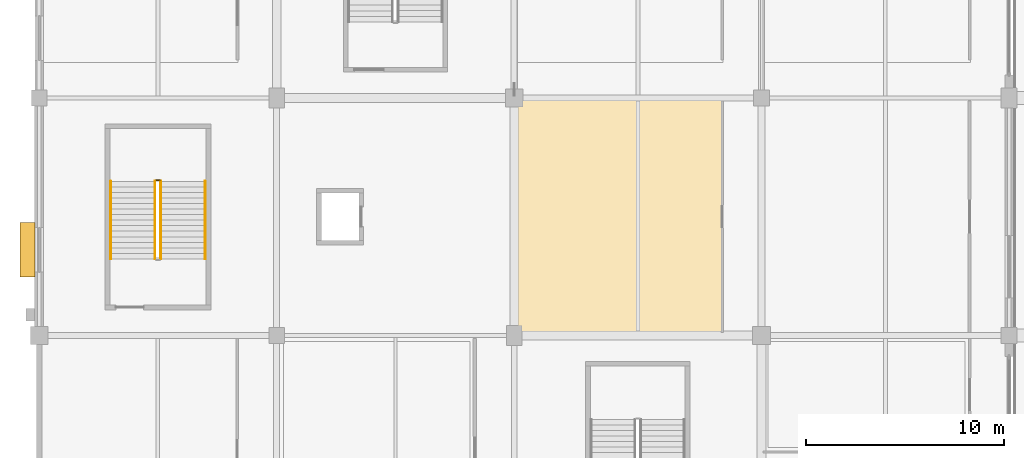
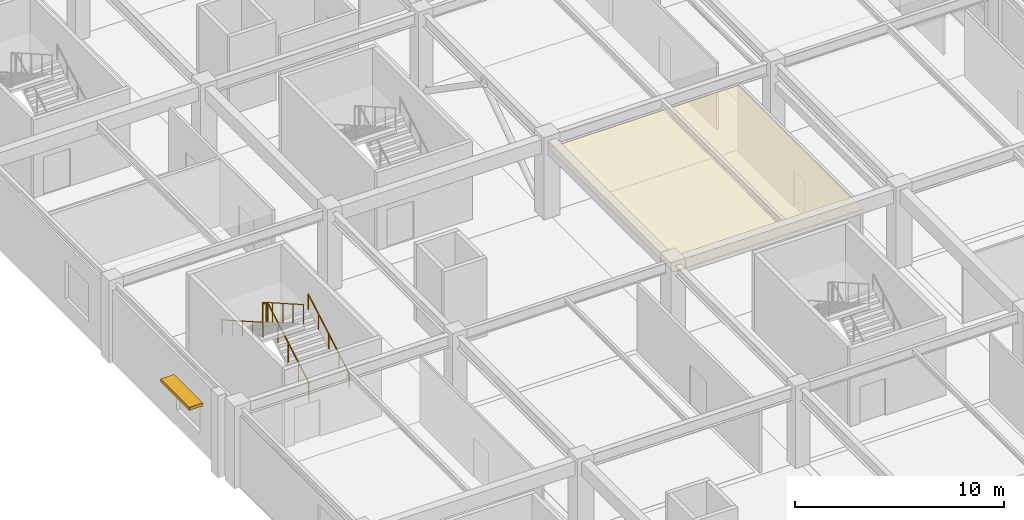
# One storey, part 106 of 134: 5 railings, 1 covering, 1 shading device.
"""IFC4 building model written with IfcOpenShell, lengths in metres."""

import ifcopenshell
import ifcopenshell.guid

model = None  # the IFC model being written
_history = None  # IfcOwnerHistory: only IFC2X3 demands one
_inside = {}  # id of a spatial element -> (the spatial element, [elements in it])
_under = {}  # id of a project, library or spatial element -> (it, [spatial elements below it])
_declared = {}  # id of a project -> (the project, [libraries it declares])
_typed = {}  # id of a type object -> (the type object, [elements of that type])
_made_of = {}  # id of a material, layer set ... -> (it, [elements and type objects made of it])


def new_model(schema):
    """Start an empty IFC model of exactly this schema.

    Asked for "IFC4X3", IfcOpenShell would pick the latest addendum, in which some entities
    have other attributes; the version numbers below select the first issue.
    IFC2X3 requires an IfcOwnerHistory on every rooted entity: one is made here for all.
    """
    global model, _history
    if schema == "IFC4X3":
        model = ifcopenshell.file(schema_version=(4, 3, 0, 0))
    else:
        model = ifcopenshell.file(schema=schema)
    _inside.clear()
    _under.clear()
    _declared.clear()
    _typed.clear()
    _made_of.clear()
    _history = None
    if model.schema == "IFC2X3":
        org = make("IfcOrganization", Name="unknown")
        user = make(
            "IfcPersonAndOrganization",
            ThePerson=make("IfcPerson", FamilyName="unknown"),
            TheOrganization=org,
        )
        app = make(
            "IfcApplication",
            ApplicationDeveloper=org,
            Version="unknown",
            ApplicationFullName="unknown",
            ApplicationIdentifier="unknown",
        )
        _history = make(
            "IfcOwnerHistory",
            OwningUser=user,
            OwningApplication=app,
            ChangeAction="ADDED",
            CreationDate=0,
        )
    return model


def make(cls, **values):
    """One entity of the class cls with the attributes given. An attribute that is None is left unset."""
    return model.create_entity(
        cls, **{name: value for name, value in values.items() if value is not None}
    )


def rooted(cls, **values):
    """An entity with a GlobalId (a new one), such as an element, a storey or a relation."""
    return make(cls, GlobalId=ifcopenshell.guid.new(), OwnerHistory=_history, **values)


def si_unit(unit_type, name, prefix=None):
    """IfcSIUnit, for example si_unit("LENGTHUNIT", "METRE", prefix="MILLI")."""
    return make("IfcSIUnit", UnitType=unit_type, Prefix=prefix, Name=name)


def assignment(units):
    """IfcUnitAssignment: the units of a project."""
    return None if units is None else make("IfcUnitAssignment", Units=units)


def point(xyz):
    """IfcCartesianPoint."""
    return None if xyz is None else make("IfcCartesianPoint", Coordinates=xyz)


def direction(xyz):
    """IfcDirection."""
    return None if xyz is None else make("IfcDirection", DirectionRatios=xyz)


def frame(location, z_axis=None, x_axis=None):
    """IfcAxis2Placement3D, a coordinate frame: its origin and axes. An axis left out is left unset."""
    return make(
        "IfcAxis2Placement3D",
        Location=point(location),
        Axis=direction(z_axis),
        RefDirection=direction(x_axis),
    )


def frame_2d(location, x_axis=None):
    """IfcAxis2Placement2D, a coordinate frame in the plane: its origin and x axis."""
    return make(
        "IfcAxis2Placement2D", Location=point(location), RefDirection=direction(x_axis)
    )


def origin():
    """The frame at (0, 0, 0) with its axes left unset."""
    return frame((0.0, 0.0, 0.0))


def origin_2d():
    """The frame at (0, 0) in the plane with its x axis left unset."""
    return frame_2d((0.0, 0.0))


def place(relative_to, where):
    """IfcLocalPlacement: puts the frame where relative to a parent placement (None: the world)."""
    return make(
        "IfcLocalPlacement", PlacementRelTo=relative_to, RelativePlacement=where
    )


def context(
    kind, dimensions, precision=None, world=None, true_north=None, identifier=None
):
    """IfcGeometricRepresentationContext, for example the 3D "Model" context."""
    return make(
        "IfcGeometricRepresentationContext",
        ContextIdentifier=identifier,
        ContextType=kind,
        CoordinateSpaceDimension=dimensions,
        Precision=precision,
        WorldCoordinateSystem=world,
        TrueNorth=true_north,
    )


def subcontext(parent, identifier, kind, view, scale=None):
    """IfcGeometricRepresentationSubContext, for example "Body" below "Model"."""
    return make(
        "IfcGeometricRepresentationSubContext",
        ContextIdentifier=identifier,
        ContextType=kind,
        ParentContext=parent,
        TargetScale=scale,
        TargetView=view,
    )


def project(units=None, contexts=None):
    """IfcProject with its units and contexts."""
    return rooted(
        "IfcProject",
        Name="project",
        RepresentationContexts=contexts,
        UnitsInContext=assignment(units),
    )


def spatial(cls, under=None, at=None, **own):
    """A site, building, storey or space (cls), placed at a placement, below another one or the project."""
    s = rooted(cls, ObjectPlacement=at, **own)
    if under is not None:
        _under.setdefault(under.id(), (under, []))[1].append(s)
    return s


def polyline(points):
    """IfcPolyline through the points."""
    return make("IfcPolyline", Points=[point(p) for p in points])


def profile(cls, at=None, kind="AREA", **sizes):
    """A parametric profile (cls). Its sizes go by their IFC names, for example OverallWidth=200.0."""
    return make(cls, ProfileType=kind, Position=at, **sizes)


def rectangle(**sizes):
    """IfcRectangleProfileDef."""
    return profile("IfcRectangleProfileDef", **sizes)


def circle(**sizes):
    """IfcCircleProfileDef."""
    return profile("IfcCircleProfileDef", **sizes)


def outline(outer, holes=None, kind="AREA"):
    """IfcArbitraryClosedProfileDef: a profile drawn as a closed curve; with holes, ...WithVoids."""
    if holes is None:
        return make("IfcArbitraryClosedProfileDef", ProfileType=kind, OuterCurve=outer)
    return make(
        "IfcArbitraryProfileDefWithVoids",
        ProfileType=kind,
        OuterCurve=outer,
        InnerCurves=holes,
    )


def extrude(swept, where, along, depth):
    """IfcExtrudedAreaSolid: the profile swept, set in the frame where, extruded along a direction by depth."""
    return make(
        "IfcExtrudedAreaSolid",
        SweptArea=swept,
        Position=where,
        ExtrudedDirection=direction(along),
        Depth=depth,
    )


def shape(context_of_items, identifier, shape_type, items):
    """IfcShapeRepresentation: the items that make up one representation, for example the "Body"."""
    return make(
        "IfcShapeRepresentation",
        ContextOfItems=context_of_items,
        RepresentationIdentifier=identifier,
        RepresentationType=shape_type,
        Items=items,
    )


def material(Name=None, Category=None):
    """IfcMaterial."""
    return make("IfcMaterial", Name=Name, Category=Category)


def layer(
    of_material, thickness, ventilated=None, Name=None, Category=None, Priority=None
):
    """IfcMaterialLayer: one layer of a wall or slab, of a material (None: an air gap)."""
    return make(
        "IfcMaterialLayer",
        Material=of_material,
        LayerThickness=thickness,
        IsVentilated=ventilated,
        Name=Name,
        Category=Category,
        Priority=Priority,
    )


def layer_set(layers, Name=None):
    """IfcMaterialLayerSet."""
    return make("IfcMaterialLayerSet", MaterialLayers=layers, LayerSetName=Name)


def made_of(thing, what):
    """Note that an element or type object is made of a material, layer set ...; save() writes the relation."""
    if what is not None:
        _made_of.setdefault(what.id(), (what, []))[1].append(thing)
    return thing


def type_object(cls, material=None, **own):
    """A type object (cls), such as IfcWallType, which elements share."""
    return made_of(rooted(cls, **own), material)


def element(
    cls,
    number,
    at=None,
    inside=None,
    cuts=None,
    type_object=None,
    material=None,
    context=None,
    identifier="Body",
    shape_type=None,
    held_by="IfcProductDefinitionShape",
    body=None,
    shapes=None,
    **own,
):
    """One element of the class cls, such as IfcWall. Its Tag is "e" and its number.

    at: its placement. inside: the storey or other place that contains it. cuts: it is an
    opening in that element (IfcRelVoidsElement). A single representation is given by context,
    identifier, shape_type and body (its items); several are given by shapes. held_by: the class
    of the entity that holds the representations. save() writes the other relations.
    """
    e = rooted(cls, Tag="e%d" % number, ObjectPlacement=at, **own)
    if body is not None:
        shapes = [shape(context, identifier, shape_type, body)]
    if shapes is not None:
        e.Representation = make(held_by, Representations=shapes)
    if inside is not None:
        _inside.setdefault(inside.id(), (inside, []))[1].append(e)
    if cuts is not None:
        rooted(
            "IfcRelVoidsElement", RelatingBuildingElement=cuts, RelatedOpeningElement=e
        )
    if type_object is not None:
        _typed.setdefault(type_object.id(), (type_object, []))[1].append(e)
    return made_of(e, material)


def aggregate(whole, parts):
    """IfcRelAggregates: a whole, such as a stair, and the parts it consists of."""
    return rooted("IfcRelAggregates", RelatingObject=whole, RelatedObjects=parts)


def save(model, path):
    """Write the relations noted so far, then the file.

    IfcRelAggregates (storeys below a building ...), IfcRelContainedInSpatialStructure (elements
    in a storey), IfcRelDefinesByType, IfcRelAssociatesMaterial and IfcRelDeclares: one each for
    every whole, place, type object, material and project.
    """
    for whole, parts in _under.values():
        aggregate(whole, parts)
    for where, things in _inside.values():
        rooted(
            "IfcRelContainedInSpatialStructure",
            RelatedElements=things,
            RelatingStructure=where,
        )
    for kind, things in _typed.values():
        rooted("IfcRelDefinesByType", RelatedObjects=things, RelatingType=kind)
    for what, things in _made_of.values():
        rooted("IfcRelAssociatesMaterial", RelatedObjects=things, RelatingMaterial=what)
    for by, libraries in _declared.values():
        rooted("IfcRelDeclares", RelatingContext=by, RelatedDefinitions=libraries)
    model.write(path)


model = new_model("IFC4")

# Units and contexts
model_context = context("Model", 3, precision=1e-05, world=origin(), true_north=direction((0.0, 1.0)))
body_context = subcontext(model_context, "Body", "Model", "MODEL_VIEW")
ifc_project = project(units=[si_unit("LENGTHUNIT", "METRE"), si_unit("AREAUNIT", "SQUARE_METRE"), si_unit("VOLUMEUNIT", "CUBIC_METRE"), si_unit("PLANEANGLEUNIT", "RADIAN"), si_unit("MASSUNIT", "GRAM", prefix="KILO")], contexts=[model_context])

# Site, building, storey
site_placement = place(None, origin())
site = spatial("IfcSite", under=ifc_project, at=site_placement, CompositionType="ELEMENT")
building_placement = place(site_placement, origin())
building = spatial("IfcBuilding", under=site, at=building_placement, Name="Kazenohara Klinker Stadium", CompositionType="ELEMENT")
storey_placement = place(building_placement, frame((0.0, 0.0, 5.39990234375)))
storey = spatial("IfcBuildingStorey", under=building, at=storey_placement, Name="L01", CompositionType="ELEMENT", Elevation=5.39990234375)

# Covering
ifc_material_1 = material(Name="Slatted Hokkaido cedar acoustic baffle ceiling", Category="wood")
ifc_layer_1 = layer(ifc_material_1, 0.0400390625)
ifc_layer_set_1 = layer_set([ifc_layer_1], Name="Slatted Hokkaido cedar acoustic baffle ceiling")
covering_type = type_object("IfcCoveringType", Name="COV-CEIL-02", PredefinedType="CEILING", material=ifc_layer_set_1)
covering_placement = place(storey_placement, frame((0.0, 0.0, 3.739990234375)))
element("IfcCovering", 1, at=covering_placement, inside=storey, type_object=covering_type, Name="Suspended acoustic ceiling CL02 Family Sensory Hospitality Lounge L01-0207A", PredefinedType="CEILING", context=body_context, shape_type="SweptSolid", body=[
    extrude(outline(polyline([(24.06005859375, 84.0400390625), (34.5400390625, 84.0400390625), (34.5400390625, 95.9599609375), (24.06005859375, 95.9599609375), (24.06005859375, 84.0400390625)])), origin(), (0.0, 0.0, 1.0), 0.0400390625),
])

# Railings
ifc_material_2 = material(Name="Brushed stainless steel 304 handrail", Category="steel")
ifc_layer_2 = layer(ifc_material_2, 0.050048828125)
ifc_layer_set_2 = layer_set([ifc_layer_2], Name="Brushed stainless steel 304 handrail")
railing_type_1 = type_object("IfcRailingType", Name="RL-HND-900", PredefinedType="HANDRAIL", material=ifc_layer_set_2)
railing_1_placement = place(storey_placement, frame((8.3798828125, 87.8701171875, 0.16015625)))
element("IfcRailing", 2, at=railing_1_placement, inside=storey, type_object=railing_type_1, Name="L01 ST03 stair handrail 1", PredefinedType="HANDRAIL", context=body_context, shape_type="SweptSolid", body=[
    extrude(circle(Radius=0.02392578125, at=origin_2d()), frame((0.0, 0.0, 0.8759765625), z_axis=(0.0, 0.868239814368, 0.496144761885), x_axis=(-1.0, 0.0, 0.0)), (0.0, 0.0, 1.0), 4.514892578125),
    extrude(circle(Radius=0.02099609375, at=origin_2d()), origin(), (0.0, 0.0, 1.0), 0.851806640625),
    extrude(circle(Radius=0.02099609375, at=origin_2d()), frame((0.0, 0.97998046875, 0.56005859375)), (0.0, 0.0, 1.0), 0.851806640625),
    extrude(circle(Radius=0.02099609375, at=origin_2d()), frame((0.0, 1.9599609375, 1.1201171875)), (0.0, 0.0, 1.0), 0.851806640625),
    extrude(circle(Radius=0.02099609375, at=origin_2d()), frame((0.0, 2.93994140625, 1.679931640625)), (0.0, 0.0, 1.0), 0.851806640625),
    extrude(circle(Radius=0.02099609375, at=origin_2d()), frame((0.0, 3.919921875, 2.239990234375)), (0.0, 0.0, 1.0), 0.851806640625),
])
railing_2_placement = place(storey_placement, frame((3.6201171875, 91.7900390625, 2.56005859375)))
element("IfcRailing", 3, at=railing_2_placement, inside=storey, type_object=railing_type_1, Name="L01 ST03 stair handrail 2", PredefinedType="HANDRAIL", context=body_context, shape_type="SweptSolid", body=[
    extrude(circle(Radius=0.02392578125, at=origin_2d()), frame((0.0, 0.0, 0.8759765625), z_axis=(0.0, -0.868239814368, 0.496144761885), x_axis=(1.0, 0.0, 0.0)), (0.0, 0.0, 1.0), 4.514892578125),
    extrude(circle(Radius=0.02099609375, at=origin_2d()), origin(), (0.0, 0.0, 1.0), 0.851806640625),
    extrude(circle(Radius=0.02099609375, at=origin_2d()), frame((0.0, -0.97998046875, 0.56005859375)), (0.0, 0.0, 1.0), 0.851806640625),
    extrude(circle(Radius=0.02099609375, at=origin_2d()), frame((0.0, -1.9599609375, 1.1201171875)), (0.0, 0.0, 1.0), 0.851806640625),
    extrude(circle(Radius=0.02099609375, at=origin_2d()), frame((0.0, -2.93994140625, 1.679931640625)), (0.0, 0.0, 1.0), 0.851806640625),
    extrude(circle(Radius=0.02099609375, at=origin_2d()), frame((0.0, -3.919921875, 2.239990234375)), (0.0, 0.0, 1.0), 0.851806640625),
])
ifc_material_3 = material(Name="Painted steel stairwell guardrail", Category="steel")
ifc_layer_3 = layer(ifc_material_3, 0.06005859375)
ifc_layer_set_3 = layer_set([ifc_layer_3], Name="Painted steel stairwell guardrail")
railing_type_2 = type_object("IfcRailingType", Name="RL-STG-1120", PredefinedType="GUARDRAIL", material=ifc_layer_set_3)
railing_3_placement = place(storey_placement, frame((6.14990234375, 87.8701171875, 0.16015625)))
element("IfcRailing", 4, at=railing_3_placement, inside=storey, type_object=railing_type_2, Name="L01 ST03 stair guard 1", PredefinedType="GUARDRAIL", context=body_context, shape_type="SweptSolid", body=[
    extrude(circle(Radius=0.02392578125, at=origin_2d()), frame((0.0, 0.0, 1.1259765625), z_axis=(0.0, 0.868239814368, 0.496144761885), x_axis=(-1.0, 0.0, 0.0)), (0.0, 0.0, 1.0), 4.514892578125),
    extrude(circle(Radius=0.02099609375, at=origin_2d()), origin(), (0.0, 0.0, 1.0), 1.101806640625),
    extrude(circle(Radius=0.02099609375, at=origin_2d()), frame((0.0, 0.97998046875, 0.56005859375)), (0.0, 0.0, 1.0), 1.101806640625),
    extrude(circle(Radius=0.02099609375, at=origin_2d()), frame((0.0, 1.9599609375, 1.1201171875)), (0.0, 0.0, 1.0), 1.101806640625),
    extrude(circle(Radius=0.02099609375, at=origin_2d()), frame((0.0, 2.93994140625, 1.679931640625)), (0.0, 0.0, 1.0), 1.101806640625),
    extrude(circle(Radius=0.02099609375, at=origin_2d()), frame((0.0, 3.919921875, 2.239990234375)), (0.0, 0.0, 1.0), 1.101806640625),
])
railing_4_placement = place(storey_placement, frame((6.10009765625, 91.840087890625, 2.400146484375)))
element("IfcRailing", 5, at=railing_4_placement, inside=storey, type_object=railing_type_2, Name="L01 ST03 stair guard 2", PredefinedType="GUARDRAIL", context=body_context, shape_type="SweptSolid", body=[
    extrude(circle(Radius=0.02392578125, at=origin_2d()), frame((0.0, 0.0, 1.1259765625), z_axis=(-1.0, 0.0, 0.0), x_axis=(0.0, -1.0, 0.0)), (0.0, 0.0, 1.0), 0.2001953125),
    extrude(circle(Radius=0.02099609375, at=origin_2d()), origin(), (0.0, 0.0, 1.0), 1.101806640625),
    extrude(circle(Radius=0.02099609375, at=origin_2d()), frame((-0.2001953125, 0.0, 0.0)), (0.0, 0.0, 1.0), 1.101806640625),
])
railing_5_placement = place(storey_placement, frame((5.85009765625, 91.7900390625, 2.56005859375)))
element("IfcRailing", 6, at=railing_5_placement, inside=storey, type_object=railing_type_2, Name="L01 ST03 stair guard 3", PredefinedType="GUARDRAIL", context=body_context, shape_type="SweptSolid", body=[
    extrude(circle(Radius=0.02392578125, at=origin_2d()), frame((0.0, 0.0, 1.1259765625), z_axis=(0.0, -0.868239814368, 0.496144761885), x_axis=(1.0, 0.0, 0.0)), (0.0, 0.0, 1.0), 4.514892578125),
    extrude(circle(Radius=0.02099609375, at=origin_2d()), origin(), (0.0, 0.0, 1.0), 1.101806640625),
    extrude(circle(Radius=0.02099609375, at=origin_2d()), frame((0.0, -0.97998046875, 0.56005859375)), (0.0, 0.0, 1.0), 1.101806640625),
    extrude(circle(Radius=0.02099609375, at=origin_2d()), frame((0.0, -1.9599609375, 1.1201171875)), (0.0, 0.0, 1.0), 1.101806640625),
    extrude(circle(Radius=0.02099609375, at=origin_2d()), frame((0.0, -2.93994140625, 1.679931640625)), (0.0, 0.0, 1.0), 1.101806640625),
    extrude(circle(Radius=0.02099609375, at=origin_2d()), frame((0.0, -3.919921875, 2.239990234375)), (0.0, 0.0, 1.0), 1.101806640625),
])

# Shading device
ifc_material_4 = material(Name="Bronze-anodised aluminium snow-hood sunshade", Category="aluminium")
shading_device_type = type_object("IfcShadingDeviceType", Name="SHD-SUN-02", PredefinedType="AWNING", material=ifc_material_4)
shading_device_placement = place(storey_placement, frame((-0.594970703125, 88.3291015625, 2.68994140625), z_axis=(0.0, 0.0, 1.0), x_axis=(0.0, 1.0, 0.0)))
element("IfcShadingDevice", 7, at=shading_device_placement, inside=storey, type_object=shading_device_type, Name="Bronze snow-hood sunshade SS02-02", PredefinedType="AWNING", context=body_context, shape_type="SweptSolid", body=[
    extrude(rectangle(XDim=2.75, YDim=0.75, at=origin_2d()), origin(), (0.0, 0.0, 1.0), 0.179931640625),
])

save(model, "model.ifc")
